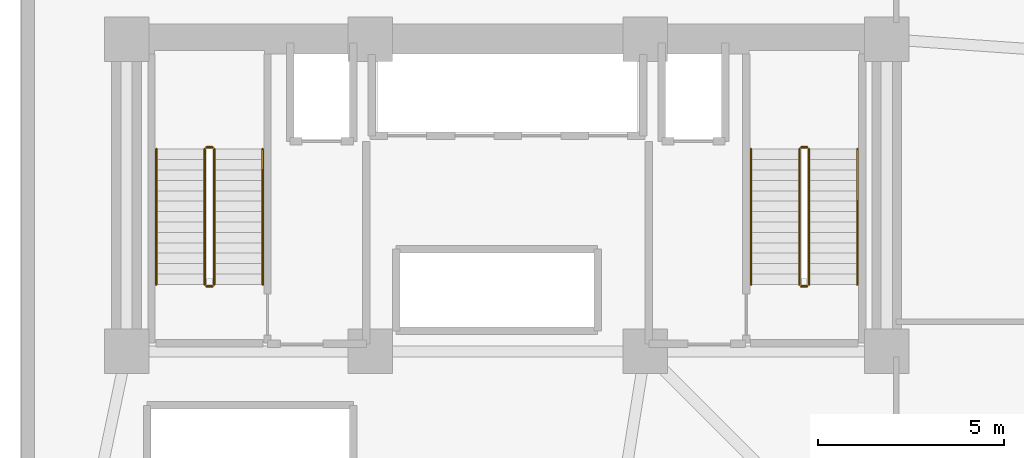
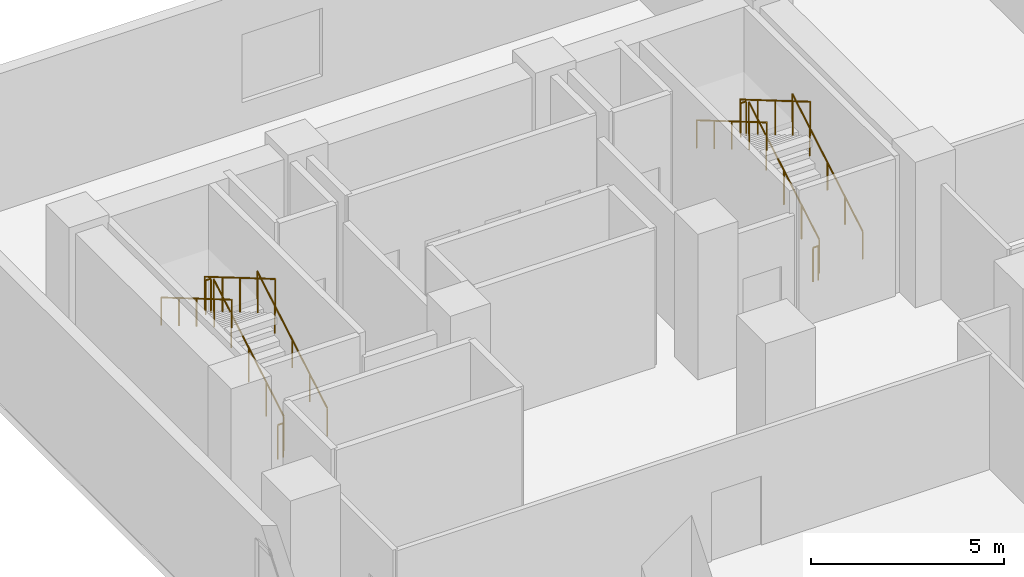
# One storey, part 13 of 14: 12 railings.
"""IFC4 building model written with IfcOpenShell, lengths in metres."""

from ifc_helpers import new_model, si_unit, direction, frame, origin, origin_2d, place, context, subcontext, project, spatial, circle, extrude, material, layer, layer_set, type_object, element, save


model = new_model("IFC4")

# Units and contexts
model_context = context("Model", 3, precision=1e-05, world=origin(), true_north=direction((0.0, 1.0)))
body_context = subcontext(model_context, "Body", "Model", "MODEL_VIEW")
ifc_project = project(units=[si_unit("LENGTHUNIT", "METRE"), si_unit("AREAUNIT", "SQUARE_METRE"), si_unit("VOLUMEUNIT", "CUBIC_METRE"), si_unit("PLANEANGLEUNIT", "RADIAN"), si_unit("MASSUNIT", "GRAM", prefix="KILO")], contexts=[model_context])

# Site, building, storey
site_placement = place(None, origin())
site = spatial("IfcSite", under=ifc_project, at=site_placement, CompositionType="ELEMENT")
building_placement = place(site_placement, origin())
building = spatial("IfcBuilding", under=site, at=building_placement, Name="Kuzgunbayir Cultural Tower", CompositionType="ELEMENT")
storey_placement = place(building_placement, frame((0.0, 0.0, 13.0)))
storey = spatial("IfcBuildingStorey", under=building, at=storey_placement, Name="L03", CompositionType="ELEMENT", Elevation=13.0)

# Railings
ifc_material_1 = material(Name="Brushed Stainless Steel", Category="steel")
ifc_layer_1 = layer(ifc_material_1, 0.050048828125)
ifc_layer_set_1 = layer_set([ifc_layer_1], Name="Brushed Stainless Steel")
railing_type_1 = type_object("IfcRailingType", Name="RLG-STAIR-HANDRAIL", PredefinedType="HANDRAIL", material=ifc_layer_set_1)
railing_1_placement = place(storey_placement, frame((10.110107421875, 35.60009765625, 0.164306640625)))
element("IfcRailing", 1, at=railing_1_placement, inside=storey, type_object=railing_type_1, Name="L03 ST-1 stair handrail 1", PredefinedType="HANDRAIL", context=body_context, shape_type="SweptSolid", body=[
    extrude(circle(Radius=0.02392578125, at=origin_2d()), frame((0.0, 0.0, 0.8759765625), z_axis=(0.0, 0.862489892076, 0.506074289079), x_axis=(-1.0, 0.0, 0.0)), (0.0, 0.0, 1.0), 4.22021484375),
    extrude(circle(Radius=0.02099609375, at=origin_2d()), origin(), (0.0, 0.0, 1.0), 0.851806640625),
    extrude(circle(Radius=0.02099609375, at=origin_2d()), frame((0.0, 0.909912109375, 0.533935546875)), (0.0, 0.0, 1.0), 0.851806640625),
    extrude(circle(Radius=0.02099609375, at=origin_2d()), frame((0.0, 1.81982421875, 1.06787109375)), (0.0, 0.0, 1.0), 0.851806640625),
    extrude(circle(Radius=0.02099609375, at=origin_2d()), frame((0.0, 2.72998046875, 1.601806640625)), (0.0, 0.0, 1.0), 0.851806640625),
    extrude(circle(Radius=0.02099609375, at=origin_2d()), frame((0.0, 3.639892578125, 2.1357421875)), (0.0, 0.0, 1.0), 0.851806640625),
])
railing_2_placement = place(storey_placement, frame((7.25, 39.239990234375, 2.46435546875)))
element("IfcRailing", 2, at=railing_2_placement, inside=storey, type_object=railing_type_1, Name="L03 ST-1 stair handrail 2", PredefinedType="HANDRAIL", context=body_context, shape_type="SweptSolid", body=[
    extrude(circle(Radius=0.02392578125, at=origin_2d()), frame((0.0, 0.0, 0.8759765625), z_axis=(0.0, -0.862489892076, 0.506074289079), x_axis=(1.0, 0.0, 0.0)), (0.0, 0.0, 1.0), 4.22021484375),
    extrude(circle(Radius=0.02099609375, at=origin_2d()), origin(), (0.0, 0.0, 1.0), 0.851806640625),
    extrude(circle(Radius=0.02099609375, at=origin_2d()), frame((0.0, -0.909912109375, 0.533935546875)), (0.0, 0.0, 1.0), 0.851806640625),
    extrude(circle(Radius=0.02099609375, at=origin_2d()), frame((0.0, -1.81982421875, 1.06787109375)), (0.0, 0.0, 1.0), 0.851806640625),
    extrude(circle(Radius=0.02099609375, at=origin_2d()), frame((0.0, -2.72998046875, 1.601806640625)), (0.0, 0.0, 1.0), 0.851806640625),
    extrude(circle(Radius=0.02099609375, at=origin_2d()), frame((0.0, -3.639892578125, 2.1357421875)), (0.0, 0.0, 1.0), 0.851806640625),
])
railing_3_placement = place(storey_placement, frame((26.110107421875, 35.60009765625, 0.164306640625)))
element("IfcRailing", 3, at=railing_3_placement, inside=storey, type_object=railing_type_1, Name="L03 ST-2 stair handrail 1", PredefinedType="HANDRAIL", context=body_context, shape_type="SweptSolid", body=[
    extrude(circle(Radius=0.02392578125, at=origin_2d()), frame((0.0, 0.0, 0.8759765625), z_axis=(0.0, 0.862489892076, 0.506074289079), x_axis=(-1.0, 0.0, 0.0)), (0.0, 0.0, 1.0), 4.22021484375),
    extrude(circle(Radius=0.02099609375, at=origin_2d()), origin(), (0.0, 0.0, 1.0), 0.851806640625),
    extrude(circle(Radius=0.02099609375, at=origin_2d()), frame((0.0, 0.909912109375, 0.533935546875)), (0.0, 0.0, 1.0), 0.851806640625),
    extrude(circle(Radius=0.02099609375, at=origin_2d()), frame((0.0, 1.81982421875, 1.06787109375)), (0.0, 0.0, 1.0), 0.851806640625),
    extrude(circle(Radius=0.02099609375, at=origin_2d()), frame((0.0, 2.72998046875, 1.601806640625)), (0.0, 0.0, 1.0), 0.851806640625),
    extrude(circle(Radius=0.02099609375, at=origin_2d()), frame((0.0, 3.639892578125, 2.1357421875)), (0.0, 0.0, 1.0), 0.851806640625),
])
railing_4_placement = place(storey_placement, frame((23.25, 39.239990234375, 2.46435546875)))
element("IfcRailing", 4, at=railing_4_placement, inside=storey, type_object=railing_type_1, Name="L03 ST-2 stair handrail 2", PredefinedType="HANDRAIL", context=body_context, shape_type="SweptSolid", body=[
    extrude(circle(Radius=0.02392578125, at=origin_2d()), frame((0.0, 0.0, 0.8759765625), z_axis=(0.0, -0.862489892076, 0.506074289079), x_axis=(1.0, 0.0, 0.0)), (0.0, 0.0, 1.0), 4.22021484375),
    extrude(circle(Radius=0.02099609375, at=origin_2d()), origin(), (0.0, 0.0, 1.0), 0.851806640625),
    extrude(circle(Radius=0.02099609375, at=origin_2d()), frame((0.0, -0.909912109375, 0.533935546875)), (0.0, 0.0, 1.0), 0.851806640625),
    extrude(circle(Radius=0.02099609375, at=origin_2d()), frame((0.0, -1.81982421875, 1.06787109375)), (0.0, 0.0, 1.0), 0.851806640625),
    extrude(circle(Radius=0.02099609375, at=origin_2d()), frame((0.0, -2.72998046875, 1.601806640625)), (0.0, 0.0, 1.0), 0.851806640625),
    extrude(circle(Radius=0.02099609375, at=origin_2d()), frame((0.0, -3.639892578125, 2.1357421875)), (0.0, 0.0, 1.0), 0.851806640625),
])
ifc_material_2 = material(Name="Painted Steel Balustrade", Category="steel")
ifc_layer_2 = layer(ifc_material_2, 0.06005859375)
ifc_layer_set_2 = layer_set([ifc_layer_2], Name="Painted Steel Balustrade")
railing_type_2 = type_object("IfcRailingType", Name="RLG-WELL-GUARD", PredefinedType="GUARDRAIL", material=ifc_layer_set_2)
railing_5_placement = place(storey_placement, frame((8.81005859375, 35.60009765625, 0.164306640625)))
element("IfcRailing", 5, at=railing_5_placement, inside=storey, type_object=railing_type_2, Name="L03 ST-1 stair guard 1", PredefinedType="GUARDRAIL", context=body_context, shape_type="SweptSolid", body=[
    extrude(circle(Radius=0.02392578125, at=origin_2d()), frame((0.0, 0.0, 1.076171875), z_axis=(0.0, 0.862489892076, 0.506074289079), x_axis=(-1.0, 0.0, 0.0)), (0.0, 0.0, 1.0), 4.22021484375),
    extrude(circle(Radius=0.02099609375, at=origin_2d()), origin(), (0.0, 0.0, 1.0), 1.052001953125),
    extrude(circle(Radius=0.02099609375, at=origin_2d()), frame((0.0, 0.909912109375, 0.533935546875)), (0.0, 0.0, 1.0), 1.052001953125),
    extrude(circle(Radius=0.02099609375, at=origin_2d()), frame((0.0, 1.81982421875, 1.06787109375)), (0.0, 0.0, 1.0), 1.052001953125),
    extrude(circle(Radius=0.02099609375, at=origin_2d()), frame((0.0, 2.72998046875, 1.601806640625)), (0.0, 0.0, 1.0), 1.052001953125),
    extrude(circle(Radius=0.02099609375, at=origin_2d()), frame((0.0, 3.639892578125, 2.1357421875)), (0.0, 0.0, 1.0), 1.052001953125),
])
railing_6_placement = place(storey_placement, frame((8.760009765625, 39.2900390625, 2.300048828125)))
element("IfcRailing", 6, at=railing_6_placement, inside=storey, type_object=railing_type_2, Name="L03 ST-1 stair guard 2", PredefinedType="GUARDRAIL", context=body_context, shape_type="SweptSolid", body=[
    extrude(circle(Radius=0.02392578125, at=origin_2d()), frame((0.0, 0.0, 1.076171875), z_axis=(-1.0, 0.0, 0.0), x_axis=(0.0, -1.0, 0.0)), (0.0, 0.0, 1.0), 0.159912109375),
    extrude(circle(Radius=0.02099609375, at=origin_2d()), origin(), (0.0, 0.0, 1.0), 1.052001953125),
    extrude(circle(Radius=0.02099609375, at=origin_2d()), frame((-0.159912109375, 0.0, 0.0)), (0.0, 0.0, 1.0), 1.052001953125),
])
railing_7_placement = place(storey_placement, frame((8.550048828125, 39.239990234375, 2.46435546875)))
element("IfcRailing", 7, at=railing_7_placement, inside=storey, type_object=railing_type_2, Name="L03 ST-1 stair guard 3", PredefinedType="GUARDRAIL", context=body_context, shape_type="SweptSolid", body=[
    extrude(circle(Radius=0.02392578125, at=origin_2d()), frame((0.0, 0.0, 1.076171875), z_axis=(0.0, -0.862489892076, 0.506074289079), x_axis=(1.0, 0.0, 0.0)), (0.0, 0.0, 1.0), 4.22021484375),
    extrude(circle(Radius=0.02099609375, at=origin_2d()), origin(), (0.0, 0.0, 1.0), 1.052001953125),
    extrude(circle(Radius=0.02099609375, at=origin_2d()), frame((0.0, -0.909912109375, 0.533935546875)), (0.0, 0.0, 1.0), 1.052001953125),
    extrude(circle(Radius=0.02099609375, at=origin_2d()), frame((0.0, -1.81982421875, 1.06787109375)), (0.0, 0.0, 1.0), 1.052001953125),
    extrude(circle(Radius=0.02099609375, at=origin_2d()), frame((0.0, -2.72998046875, 1.601806640625)), (0.0, 0.0, 1.0), 1.052001953125),
    extrude(circle(Radius=0.02099609375, at=origin_2d()), frame((0.0, -3.639892578125, 2.1357421875)), (0.0, 0.0, 1.0), 1.052001953125),
])
railing_8_placement = place(storey_placement, frame((8.760009765625, 35.550048828125, 0.0)))
element("IfcRailing", 8, at=railing_8_placement, inside=storey, type_object=railing_type_2, Name="L03 ST-1 stair guard 4", PredefinedType="GUARDRAIL", context=body_context, shape_type="SweptSolid", body=[
    extrude(circle(Radius=0.02392578125, at=origin_2d()), frame((0.0, 0.0, 1.076171875), z_axis=(-1.0, 0.0, 0.0), x_axis=(0.0, -1.0, 0.0)), (0.0, 0.0, 1.0), 0.159912109375),
    extrude(circle(Radius=0.02099609375, at=origin_2d()), origin(), (0.0, 0.0, 1.0), 1.052001953125),
    extrude(circle(Radius=0.02099609375, at=origin_2d()), frame((-0.159912109375, 0.0, 0.0)), (0.0, 0.0, 1.0), 1.052001953125),
])
railing_9_placement = place(storey_placement, frame((24.81005859375, 35.60009765625, 0.164306640625)))
element("IfcRailing", 9, at=railing_9_placement, inside=storey, type_object=railing_type_2, Name="L03 ST-2 stair guard 1", PredefinedType="GUARDRAIL", context=body_context, shape_type="SweptSolid", body=[
    extrude(circle(Radius=0.02392578125, at=origin_2d()), frame((0.0, 0.0, 1.076171875), z_axis=(0.0, 0.862489892076, 0.506074289079), x_axis=(-1.0, 0.0, 0.0)), (0.0, 0.0, 1.0), 4.22021484375),
    extrude(circle(Radius=0.02099609375, at=origin_2d()), origin(), (0.0, 0.0, 1.0), 1.052001953125),
    extrude(circle(Radius=0.02099609375, at=origin_2d()), frame((0.0, 0.909912109375, 0.533935546875)), (0.0, 0.0, 1.0), 1.052001953125),
    extrude(circle(Radius=0.02099609375, at=origin_2d()), frame((0.0, 1.81982421875, 1.06787109375)), (0.0, 0.0, 1.0), 1.052001953125),
    extrude(circle(Radius=0.02099609375, at=origin_2d()), frame((0.0, 2.72998046875, 1.601806640625)), (0.0, 0.0, 1.0), 1.052001953125),
    extrude(circle(Radius=0.02099609375, at=origin_2d()), frame((0.0, 3.639892578125, 2.1357421875)), (0.0, 0.0, 1.0), 1.052001953125),
])
railing_10_placement = place(storey_placement, frame((24.760009765625, 39.2900390625, 2.300048828125)))
element("IfcRailing", 10, at=railing_10_placement, inside=storey, type_object=railing_type_2, Name="L03 ST-2 stair guard 2", PredefinedType="GUARDRAIL", context=body_context, shape_type="SweptSolid", body=[
    extrude(circle(Radius=0.02392578125, at=origin_2d()), frame((0.0, 0.0, 1.076171875), z_axis=(-1.0, 0.0, 0.0), x_axis=(0.0, -1.0, 0.0)), (0.0, 0.0, 1.0), 0.159912109375),
    extrude(circle(Radius=0.02099609375, at=origin_2d()), origin(), (0.0, 0.0, 1.0), 1.052001953125),
    extrude(circle(Radius=0.02099609375, at=origin_2d()), frame((-0.159912109375, 0.0, 0.0)), (0.0, 0.0, 1.0), 1.052001953125),
])
railing_11_placement = place(storey_placement, frame((24.550048828125, 39.239990234375, 2.46435546875)))
element("IfcRailing", 11, at=railing_11_placement, inside=storey, type_object=railing_type_2, Name="L03 ST-2 stair guard 3", PredefinedType="GUARDRAIL", context=body_context, shape_type="SweptSolid", body=[
    extrude(circle(Radius=0.02392578125, at=origin_2d()), frame((0.0, 0.0, 1.076171875), z_axis=(0.0, -0.862489892076, 0.506074289079), x_axis=(1.0, 0.0, 0.0)), (0.0, 0.0, 1.0), 4.22021484375),
    extrude(circle(Radius=0.02099609375, at=origin_2d()), origin(), (0.0, 0.0, 1.0), 1.052001953125),
    extrude(circle(Radius=0.02099609375, at=origin_2d()), frame((0.0, -0.909912109375, 0.533935546875)), (0.0, 0.0, 1.0), 1.052001953125),
    extrude(circle(Radius=0.02099609375, at=origin_2d()), frame((0.0, -1.81982421875, 1.06787109375)), (0.0, 0.0, 1.0), 1.052001953125),
    extrude(circle(Radius=0.02099609375, at=origin_2d()), frame((0.0, -2.72998046875, 1.601806640625)), (0.0, 0.0, 1.0), 1.052001953125),
    extrude(circle(Radius=0.02099609375, at=origin_2d()), frame((0.0, -3.639892578125, 2.1357421875)), (0.0, 0.0, 1.0), 1.052001953125),
])
railing_12_placement = place(storey_placement, frame((24.760009765625, 35.550048828125, 0.0)))
element("IfcRailing", 12, at=railing_12_placement, inside=storey, type_object=railing_type_2, Name="L03 ST-2 stair guard 4", PredefinedType="GUARDRAIL", context=body_context, shape_type="SweptSolid", body=[
    extrude(circle(Radius=0.02392578125, at=origin_2d()), frame((0.0, 0.0, 1.076171875), z_axis=(-1.0, 0.0, 0.0), x_axis=(0.0, -1.0, 0.0)), (0.0, 0.0, 1.0), 0.159912109375),
    extrude(circle(Radius=0.02099609375, at=origin_2d()), origin(), (0.0, 0.0, 1.0), 1.052001953125),
    extrude(circle(Radius=0.02099609375, at=origin_2d()), frame((-0.159912109375, 0.0, 0.0)), (0.0, 0.0, 1.0), 1.052001953125),
])

save(model, "model.ifc")
